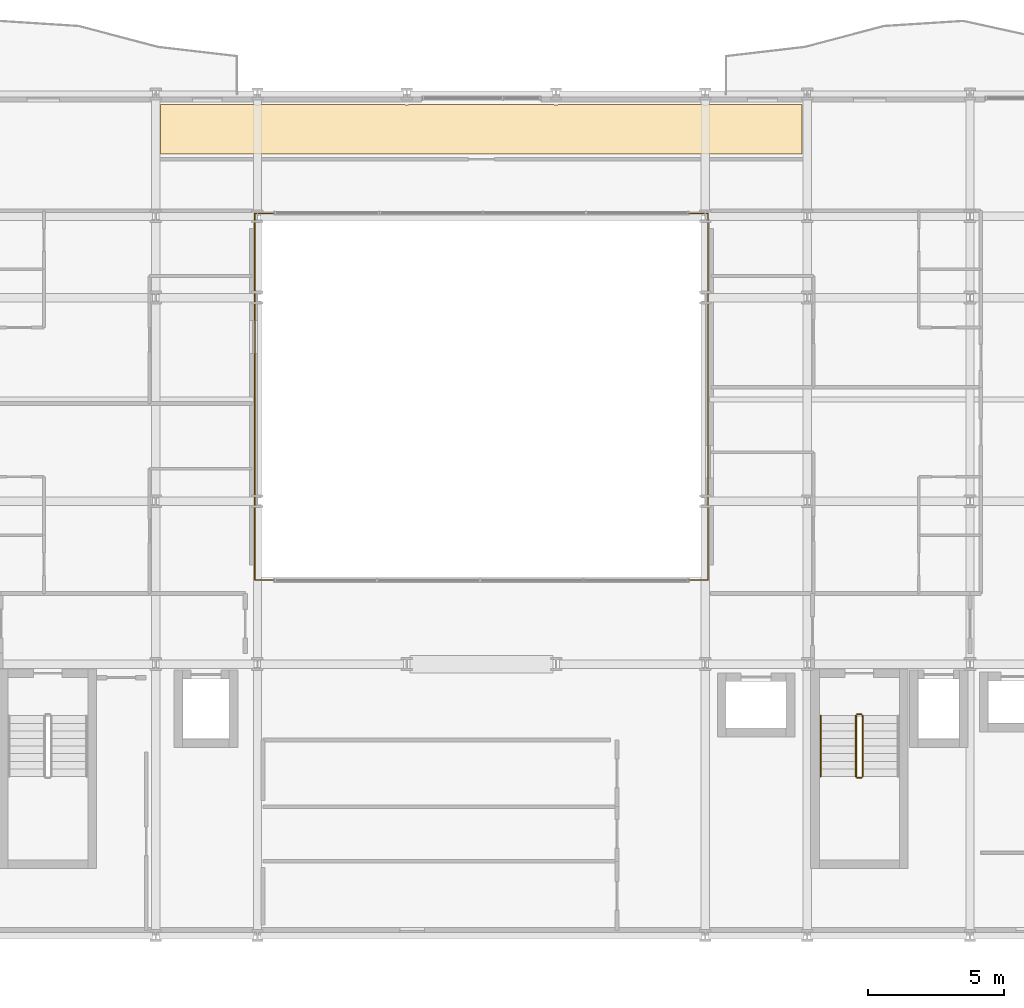
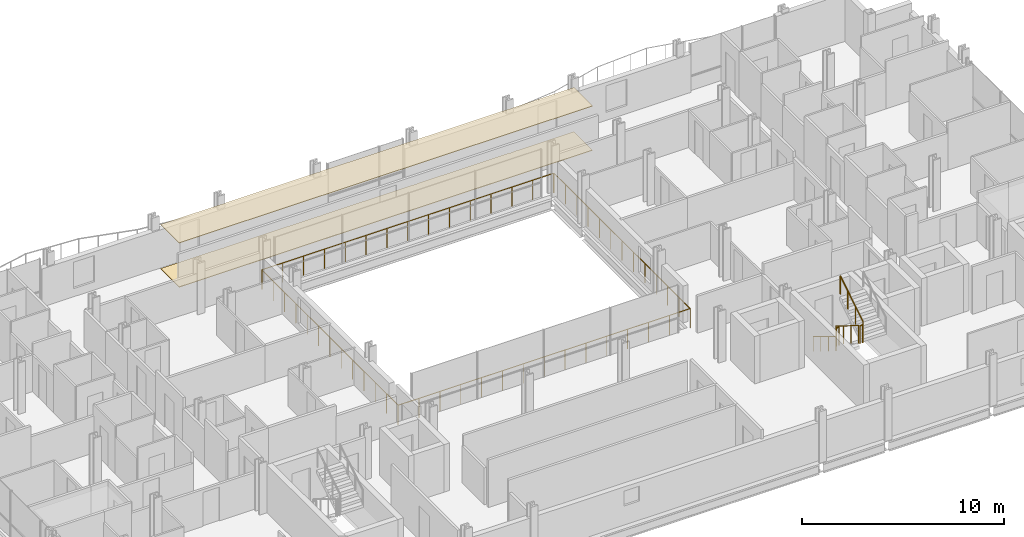
# One storey, part 39 of 40: 7 railings, 2 coverings.
"""IFC4 building model written with IfcOpenShell, lengths in metres."""

import ifcopenshell
import ifcopenshell.guid

model = None  # the IFC model being written
_history = None  # IfcOwnerHistory: only IFC2X3 demands one
_inside = {}  # id of a spatial element -> (the spatial element, [elements in it])
_under = {}  # id of a project, library or spatial element -> (it, [spatial elements below it])
_declared = {}  # id of a project -> (the project, [libraries it declares])
_typed = {}  # id of a type object -> (the type object, [elements of that type])
_made_of = {}  # id of a material, layer set ... -> (it, [elements and type objects made of it])


def new_model(schema):
    """Start an empty IFC model of exactly this schema.

    Asked for "IFC4X3", IfcOpenShell would pick the latest addendum, in which some entities
    have other attributes; the version numbers below select the first issue.
    IFC2X3 requires an IfcOwnerHistory on every rooted entity: one is made here for all.
    """
    global model, _history
    if schema == "IFC4X3":
        model = ifcopenshell.file(schema_version=(4, 3, 0, 0))
    else:
        model = ifcopenshell.file(schema=schema)
    _inside.clear()
    _under.clear()
    _declared.clear()
    _typed.clear()
    _made_of.clear()
    _history = None
    if model.schema == "IFC2X3":
        org = make("IfcOrganization", Name="unknown")
        user = make(
            "IfcPersonAndOrganization",
            ThePerson=make("IfcPerson", FamilyName="unknown"),
            TheOrganization=org,
        )
        app = make(
            "IfcApplication",
            ApplicationDeveloper=org,
            Version="unknown",
            ApplicationFullName="unknown",
            ApplicationIdentifier="unknown",
        )
        _history = make(
            "IfcOwnerHistory",
            OwningUser=user,
            OwningApplication=app,
            ChangeAction="ADDED",
            CreationDate=0,
        )
    return model


def make(cls, **values):
    """One entity of the class cls with the attributes given. An attribute that is None is left unset."""
    return model.create_entity(
        cls, **{name: value for name, value in values.items() if value is not None}
    )


def rooted(cls, **values):
    """An entity with a GlobalId (a new one), such as an element, a storey or a relation."""
    return make(cls, GlobalId=ifcopenshell.guid.new(), OwnerHistory=_history, **values)


def si_unit(unit_type, name, prefix=None):
    """IfcSIUnit, for example si_unit("LENGTHUNIT", "METRE", prefix="MILLI")."""
    return make("IfcSIUnit", UnitType=unit_type, Prefix=prefix, Name=name)


def assignment(units):
    """IfcUnitAssignment: the units of a project."""
    return None if units is None else make("IfcUnitAssignment", Units=units)


def point(xyz):
    """IfcCartesianPoint."""
    return None if xyz is None else make("IfcCartesianPoint", Coordinates=xyz)


def direction(xyz):
    """IfcDirection."""
    return None if xyz is None else make("IfcDirection", DirectionRatios=xyz)


def frame(location, z_axis=None, x_axis=None):
    """IfcAxis2Placement3D, a coordinate frame: its origin and axes. An axis left out is left unset."""
    return make(
        "IfcAxis2Placement3D",
        Location=point(location),
        Axis=direction(z_axis),
        RefDirection=direction(x_axis),
    )


def frame_2d(location, x_axis=None):
    """IfcAxis2Placement2D, a coordinate frame in the plane: its origin and x axis."""
    return make(
        "IfcAxis2Placement2D", Location=point(location), RefDirection=direction(x_axis)
    )


def origin():
    """The frame at (0, 0, 0) with its axes left unset."""
    return frame((0.0, 0.0, 0.0))


def origin_2d():
    """The frame at (0, 0) in the plane with its x axis left unset."""
    return frame_2d((0.0, 0.0))


def place(relative_to, where):
    """IfcLocalPlacement: puts the frame where relative to a parent placement (None: the world)."""
    return make(
        "IfcLocalPlacement", PlacementRelTo=relative_to, RelativePlacement=where
    )


def context(
    kind, dimensions, precision=None, world=None, true_north=None, identifier=None
):
    """IfcGeometricRepresentationContext, for example the 3D "Model" context."""
    return make(
        "IfcGeometricRepresentationContext",
        ContextIdentifier=identifier,
        ContextType=kind,
        CoordinateSpaceDimension=dimensions,
        Precision=precision,
        WorldCoordinateSystem=world,
        TrueNorth=true_north,
    )


def subcontext(parent, identifier, kind, view, scale=None):
    """IfcGeometricRepresentationSubContext, for example "Body" below "Model"."""
    return make(
        "IfcGeometricRepresentationSubContext",
        ContextIdentifier=identifier,
        ContextType=kind,
        ParentContext=parent,
        TargetScale=scale,
        TargetView=view,
    )


def project(units=None, contexts=None):
    """IfcProject with its units and contexts."""
    return rooted(
        "IfcProject",
        Name="project",
        RepresentationContexts=contexts,
        UnitsInContext=assignment(units),
    )


def spatial(cls, under=None, at=None, **own):
    """A site, building, storey or space (cls), placed at a placement, below another one or the project."""
    s = rooted(cls, ObjectPlacement=at, **own)
    if under is not None:
        _under.setdefault(under.id(), (under, []))[1].append(s)
    return s


def polyline(points):
    """IfcPolyline through the points."""
    return make("IfcPolyline", Points=[point(p) for p in points])


def profile(cls, at=None, kind="AREA", **sizes):
    """A parametric profile (cls). Its sizes go by their IFC names, for example OverallWidth=200.0."""
    return make(cls, ProfileType=kind, Position=at, **sizes)


def circle(**sizes):
    """IfcCircleProfileDef."""
    return profile("IfcCircleProfileDef", **sizes)


def outline(outer, holes=None, kind="AREA"):
    """IfcArbitraryClosedProfileDef: a profile drawn as a closed curve; with holes, ...WithVoids."""
    if holes is None:
        return make("IfcArbitraryClosedProfileDef", ProfileType=kind, OuterCurve=outer)
    return make(
        "IfcArbitraryProfileDefWithVoids",
        ProfileType=kind,
        OuterCurve=outer,
        InnerCurves=holes,
    )


def extrude(swept, where, along, depth):
    """IfcExtrudedAreaSolid: the profile swept, set in the frame where, extruded along a direction by depth."""
    return make(
        "IfcExtrudedAreaSolid",
        SweptArea=swept,
        Position=where,
        ExtrudedDirection=direction(along),
        Depth=depth,
    )


def shape(context_of_items, identifier, shape_type, items):
    """IfcShapeRepresentation: the items that make up one representation, for example the "Body"."""
    return make(
        "IfcShapeRepresentation",
        ContextOfItems=context_of_items,
        RepresentationIdentifier=identifier,
        RepresentationType=shape_type,
        Items=items,
    )


def material(Name=None, Category=None):
    """IfcMaterial."""
    return make("IfcMaterial", Name=Name, Category=Category)


def layer(
    of_material, thickness, ventilated=None, Name=None, Category=None, Priority=None
):
    """IfcMaterialLayer: one layer of a wall or slab, of a material (None: an air gap)."""
    return make(
        "IfcMaterialLayer",
        Material=of_material,
        LayerThickness=thickness,
        IsVentilated=ventilated,
        Name=Name,
        Category=Category,
        Priority=Priority,
    )


def layer_set(layers, Name=None):
    """IfcMaterialLayerSet."""
    return make("IfcMaterialLayerSet", MaterialLayers=layers, LayerSetName=Name)


def made_of(thing, what):
    """Note that an element or type object is made of a material, layer set ...; save() writes the relation."""
    if what is not None:
        _made_of.setdefault(what.id(), (what, []))[1].append(thing)
    return thing


def type_object(cls, material=None, **own):
    """A type object (cls), such as IfcWallType, which elements share."""
    return made_of(rooted(cls, **own), material)


def element(
    cls,
    number,
    at=None,
    inside=None,
    cuts=None,
    type_object=None,
    material=None,
    context=None,
    identifier="Body",
    shape_type=None,
    held_by="IfcProductDefinitionShape",
    body=None,
    shapes=None,
    **own,
):
    """One element of the class cls, such as IfcWall. Its Tag is "e" and its number.

    at: its placement. inside: the storey or other place that contains it. cuts: it is an
    opening in that element (IfcRelVoidsElement). A single representation is given by context,
    identifier, shape_type and body (its items); several are given by shapes. held_by: the class
    of the entity that holds the representations. save() writes the other relations.
    """
    e = rooted(cls, Tag="e%d" % number, ObjectPlacement=at, **own)
    if body is not None:
        shapes = [shape(context, identifier, shape_type, body)]
    if shapes is not None:
        e.Representation = make(held_by, Representations=shapes)
    if inside is not None:
        _inside.setdefault(inside.id(), (inside, []))[1].append(e)
    if cuts is not None:
        rooted(
            "IfcRelVoidsElement", RelatingBuildingElement=cuts, RelatedOpeningElement=e
        )
    if type_object is not None:
        _typed.setdefault(type_object.id(), (type_object, []))[1].append(e)
    return made_of(e, material)


def aggregate(whole, parts):
    """IfcRelAggregates: a whole, such as a stair, and the parts it consists of."""
    return rooted("IfcRelAggregates", RelatingObject=whole, RelatedObjects=parts)


def save(model, path):
    """Write the relations noted so far, then the file.

    IfcRelAggregates (storeys below a building ...), IfcRelContainedInSpatialStructure (elements
    in a storey), IfcRelDefinesByType, IfcRelAssociatesMaterial and IfcRelDeclares: one each for
    every whole, place, type object, material and project.
    """
    for whole, parts in _under.values():
        aggregate(whole, parts)
    for where, things in _inside.values():
        rooted(
            "IfcRelContainedInSpatialStructure",
            RelatedElements=things,
            RelatingStructure=where,
        )
    for kind, things in _typed.values():
        rooted("IfcRelDefinesByType", RelatedObjects=things, RelatingType=kind)
    for what, things in _made_of.values():
        rooted("IfcRelAssociatesMaterial", RelatedObjects=things, RelatingMaterial=what)
    for by, libraries in _declared.values():
        rooted("IfcRelDeclares", RelatingContext=by, RelatedDefinitions=libraries)
    model.write(path)


model = new_model("IFC4")

# Units and contexts
model_context = context("Model", 3, precision=1e-05, world=origin(), true_north=direction((0.0, 1.0)))
body_context = subcontext(model_context, "Body", "Model", "MODEL_VIEW")
ifc_project = project(units=[si_unit("LENGTHUNIT", "METRE"), si_unit("AREAUNIT", "SQUARE_METRE"), si_unit("VOLUMEUNIT", "CUBIC_METRE"), si_unit("PLANEANGLEUNIT", "RADIAN"), si_unit("MASSUNIT", "GRAM", prefix="KILO")], contexts=[model_context])

# Site, building, storey
site_placement = place(None, origin())
site = spatial("IfcSite", under=ifc_project, at=site_placement, CompositionType="ELEMENT")
building_placement = place(site_placement, origin())
building = spatial("IfcBuilding", under=site, at=building_placement, Name="Brevholm Reach", CompositionType="ELEMENT")
storey_placement = place(building_placement, frame((0.0, 0.0, 37.300048828125)))
storey = spatial("IfcBuildingStorey", under=building, at=storey_placement, Name="L09", CompositionType="ELEMENT", Elevation=37.300048828125)

# Coverings
ifc_material_1 = material(Name="Moisture-Resistant Skimmed Gypsum Plasterboard Ceiling", Category="gypsum")
ifc_layer_1 = layer(ifc_material_1, 0.030029296875)
ifc_layer_set_1 = layer_set([ifc_layer_1], Name="Moisture-Resistant Skimmed Gypsum Plasterboard Ceiling")
covering_type_1 = type_object("IfcCoveringType", Name="COV-CLG-GYP", PredefinedType="CEILING", material=ifc_layer_set_1)
covering_1_placement = place(storey_placement, frame((0.0, 0.0, 2.669921875)))
element("IfcCovering", 1, at=covering_1_placement, inside=storey, type_object=covering_type_1, Name="L09 Suspended Ceiling L09-76", PredefinedType="CEILING", context=body_context, shape_type="SweptSolid", body=[
    extrude(outline(polyline([(18.179931640625, 30.6201171875), (21.626220703125, 30.6201171875), (21.6337890625, 30.6171875), (21.672119140625, 30.607666015625), (21.710693359375, 30.601806640625), (21.75, 30.60009765625), (21.789306640625, 30.601806640625), (21.827880859375, 30.607666015625), (21.8662109375, 30.6171875), (21.873779296875, 30.6201171875), (27.126220703125, 30.6201171875), (27.1337890625, 30.6171875), (27.172119140625, 30.607666015625), (27.210693359375, 30.601806640625), (27.25, 30.60009765625), (27.289306640625, 30.601806640625), (27.327880859375, 30.607666015625), (27.3662109375, 30.6171875), (27.373779296875, 30.6201171875), (32.626220703125, 30.6201171875), (32.6337890625, 30.6171875), (32.672119140625, 30.607666015625), (32.710693359375, 30.601806640625), (32.75, 30.60009765625), (32.789306640625, 30.601806640625), (32.827880859375, 30.607666015625), (32.8662109375, 30.6171875), (32.873779296875, 30.6201171875), (38.126220703125, 30.6201171875), (38.1337890625, 30.6171875), (38.172119140625, 30.607666015625), (38.210693359375, 30.601806640625), (38.25, 30.60009765625), (38.289306640625, 30.601806640625), (38.327880859375, 30.607666015625), (38.3662109375, 30.6171875), (38.373779296875, 30.6201171875), (41.820068359375, 30.6201171875), (41.820068359375, 28.783935546875), (18.179931640625, 28.783935546875), (18.179931640625, 30.6201171875)])), origin(), (0.0, 0.0, 1.0), 0.030029296875),
])
ifc_material_2 = material(Name="Honed Portland-Aggregate Resin Terrazzo Flooring", Category="concrete")
ifc_layer_2 = layer(ifc_material_2, 0.031982421875)
ifc_layer_set_2 = layer_set([ifc_layer_2], Name="Honed Portland-Aggregate Resin Terrazzo Flooring")
covering_type_2 = type_object("IfcCoveringType", Name="COV-FLR-TRZ", PredefinedType="FLOORING", material=ifc_layer_set_2)
covering_2_placement = place(storey_placement, origin())
element("IfcCovering", 2, at=covering_2_placement, inside=storey, type_object=covering_type_2, Name="L09 Floor Finish L09-76", PredefinedType="FLOORING", context=body_context, shape_type="SweptSolid", body=[
    extrude(outline(polyline([(18.179931640625, 30.6201171875), (21.626220703125, 30.6201171875), (21.6337890625, 30.6171875), (21.672119140625, 30.607666015625), (21.710693359375, 30.601806640625), (21.75, 30.60009765625), (21.789306640625, 30.601806640625), (21.827880859375, 30.607666015625), (21.8662109375, 30.6171875), (21.873779296875, 30.6201171875), (27.126220703125, 30.6201171875), (27.1337890625, 30.6171875), (27.172119140625, 30.607666015625), (27.210693359375, 30.601806640625), (27.25, 30.60009765625), (27.289306640625, 30.601806640625), (27.327880859375, 30.607666015625), (27.3662109375, 30.6171875), (27.373779296875, 30.6201171875), (32.626220703125, 30.6201171875), (32.6337890625, 30.6171875), (32.672119140625, 30.607666015625), (32.710693359375, 30.601806640625), (32.75, 30.60009765625), (32.789306640625, 30.601806640625), (32.827880859375, 30.607666015625), (32.8662109375, 30.6171875), (32.873779296875, 30.6201171875), (38.126220703125, 30.6201171875), (38.1337890625, 30.6171875), (38.172119140625, 30.607666015625), (38.210693359375, 30.601806640625), (38.25, 30.60009765625), (38.289306640625, 30.601806640625), (38.327880859375, 30.607666015625), (38.3662109375, 30.6171875), (38.373779296875, 30.6201171875), (41.820068359375, 30.6201171875), (41.820068359375, 28.783935546875), (18.179931640625, 28.783935546875), (18.179931640625, 30.6201171875)])), origin(), (0.0, 0.0, 1.0), 0.031982421875),
])

# Railings
ifc_material_3 = material(Name="Brushed Stainless Steel EN 1.4401 Continuous Handrail", Category="steel")
railing_type_1 = type_object("IfcRailingType", Name="RAL-HND-950", PredefinedType="HANDRAIL", material=ifc_material_3)
railing_1_placement = place(storey_placement, frame((42.5, 8.10009765625, 0.172119140625)))
element("IfcRailing", 3, at=railing_1_placement, inside=storey, type_object=railing_type_1, Name="L09 ST-2 stair handrail 1", PredefinedType="HANDRAIL", context=body_context, shape_type="SweptSolid", body=[
    extrude(circle(Radius=0.02392578125, at=origin_2d()), frame((0.0, 0.0, 0.8857421875), z_axis=(0.0, -0.851747552033, 0.523952390591), x_axis=(1.0, 0.0, 0.0)), (0.0, 0.0, 1.0), 2.6298828125),
    extrude(circle(Radius=0.02099609375, at=origin_2d()), origin(), (0.0, 0.0, 1.0), 0.86181640625),
    extrude(circle(Radius=0.02099609375, at=origin_2d()), frame((0.0, -0.74658203125, 0.459228515625)), (0.0, 0.0, 1.0), 0.86181640625),
    extrude(circle(Radius=0.02099609375, at=origin_2d()), frame((0.0, -1.493408203125, 0.918701171875)), (0.0, 0.0, 1.0), 0.86181640625),
    extrude(circle(Radius=0.02099609375, at=origin_2d()), frame((0.0, -2.239990234375, 1.3779296875)), (0.0, 0.0, 1.0), 0.86181640625),
])
ifc_material_4 = material(Name="Painted Tubular Galvanised Steel S275JR Stair Guard", Category="steel")
railing_type_2 = type_object("IfcRailingType", Name="RAL-STG-1120", PredefinedType="BALUSTRADE", material=ifc_material_4)
railing_2_placement = place(storey_placement, frame((43.800048828125, 8.10009765625, 0.172119140625)))
element("IfcRailing", 4, at=railing_2_placement, inside=storey, type_object=railing_type_2, Name="L09 ST-2 stair guard 1", PredefinedType="BALUSTRADE", context=body_context, shape_type="SweptSolid", body=[
    extrude(circle(Radius=0.02392578125, at=origin_2d()), frame((0.0, 0.0, 1.076171875), z_axis=(0.0, -0.851747552033, 0.523952390591), x_axis=(1.0, 0.0, 0.0)), (0.0, 0.0, 1.0), 2.6298828125),
    extrude(circle(Radius=0.02099609375, at=origin_2d()), origin(), (0.0, 0.0, 1.0), 1.052001953125),
    extrude(circle(Radius=0.02099609375, at=origin_2d()), frame((0.0, -0.74658203125, 0.459228515625)), (0.0, 0.0, 1.0), 1.052001953125),
    extrude(circle(Radius=0.02099609375, at=origin_2d()), frame((0.0, -1.493408203125, 0.918701171875)), (0.0, 0.0, 1.0), 1.052001953125),
    extrude(circle(Radius=0.02099609375, at=origin_2d()), frame((0.0, -2.239990234375, 1.3779296875)), (0.0, 0.0, 1.0), 1.052001953125),
])
railing_3_placement = place(storey_placement, frame((43.85009765625, 5.81005859375, 1.550048828125)))
element("IfcRailing", 5, at=railing_3_placement, inside=storey, type_object=railing_type_2, Name="L09 ST-2 stair guard 2", PredefinedType="BALUSTRADE", context=body_context, shape_type="SweptSolid", body=[
    extrude(circle(Radius=0.02392578125, at=origin_2d()), frame((0.0, 0.0, 1.076171875), z_axis=(1.0, 0.0, 0.0), x_axis=(0.0, 1.0, 0.0)), (0.0, 0.0, 1.0), 0.14990234375),
    extrude(circle(Radius=0.02099609375, at=origin_2d()), origin(), (0.0, 0.0, 1.0), 1.052001953125),
    extrude(circle(Radius=0.02099609375, at=origin_2d()), frame((0.14990234375, 0.0, 0.0)), (0.0, 0.0, 1.0), 1.052001953125),
])
railing_4_placement = place(storey_placement, frame((44.050048828125, 5.860107421875, 1.72216796875)))
element("IfcRailing", 6, at=railing_4_placement, inside=storey, type_object=railing_type_2, Name="L09 ST-2 stair guard 3", PredefinedType="BALUSTRADE", context=body_context, shape_type="SweptSolid", body=[
    extrude(circle(Radius=0.02392578125, at=origin_2d()), frame((0.0, 0.0, 1.076171875), z_axis=(0.0, 0.85178898068, 0.523885037382), x_axis=(-1.0, 0.0, 0.0)), (0.0, 0.0, 1.0), 2.629638671875),
    extrude(circle(Radius=0.02099609375, at=origin_2d()), origin(), (0.0, 0.0, 1.0), 1.052001953125),
    extrude(circle(Radius=0.02099609375, at=origin_2d()), frame((0.0, 0.74658203125, 0.459228515625)), (0.0, 0.0, 1.0), 1.052001953125),
    extrude(circle(Radius=0.02099609375, at=origin_2d()), frame((0.0, 1.493408203125, 0.91845703125)), (0.0, 0.0, 1.0), 1.052001953125),
    extrude(circle(Radius=0.02099609375, at=origin_2d()), frame((0.0, 2.239990234375, 1.377685546875)), (0.0, 0.0, 1.0), 1.052001953125),
])
railing_5_placement = place(storey_placement, frame((43.85009765625, 8.14990234375, 0.0)))
element("IfcRailing", 7, at=railing_5_placement, inside=storey, type_object=railing_type_2, Name="L09 ST-2 stair guard 4", PredefinedType="BALUSTRADE", context=body_context, shape_type="SweptSolid", body=[
    extrude(circle(Radius=0.02392578125, at=origin_2d()), frame((0.0, 0.0, 1.076171875), z_axis=(1.0, 0.0, 0.0), x_axis=(0.0, 1.0, 0.0)), (0.0, 0.0, 1.0), 0.14990234375),
    extrude(circle(Radius=0.02099609375, at=origin_2d()), origin(), (0.0, 0.0, 1.0), 1.052001953125),
    extrude(circle(Radius=0.02099609375, at=origin_2d()), frame((0.14990234375, 0.0, 0.0)), (0.0, 0.0, 1.0), 1.052001953125),
])
ifc_material_5 = material(Name="Brushed Stainless Steel EN 1.4401 and Laminated Glass", Category="steel")
railing_type_3 = type_object("IfcRailingType", Name="RAL-TERR-1200", PredefinedType="BALUSTRADE", material=ifc_material_5)
railing_6_placement = place(storey_placement, frame((21.64990234375, 13.10009765625, 0.0)))
element("IfcRailing", 8, at=railing_6_placement, inside=storey, type_object=railing_type_3, Name="L09 Guard Balustrade RAL-L09-AT-VOID-SW", PredefinedType="BALUSTRADE", context=body_context, shape_type="SweptSolid", body=[
    extrude(circle(Radius=0.02392578125, at=origin_2d()), frame((0.0, 0.0, 1.17578125), z_axis=(1.0, 0.0, 0.0), x_axis=(0.0, 1.0, 0.0)), (0.0, 0.0, 1.0), 16.7001953125),
    extrude(circle(Radius=0.02392578125, at=origin_2d()), frame((16.7001953125, 0.0, 1.17578125), z_axis=(0.0, 1.0, 0.0), x_axis=(-1.0, 0.0, 0.0)), (0.0, 0.0, 1.0), 13.47998046875),
    extrude(circle(Radius=0.02099609375, at=origin_2d()), origin(), (0.0, 0.0, 1.0), 1.15185546875),
    extrude(circle(Radius=0.02099609375, at=origin_2d()), frame((1.19287109375, 0.0, 0.0)), (0.0, 0.0, 1.0), 1.15185546875),
    extrude(circle(Radius=0.02099609375, at=origin_2d()), frame((2.3857421875, 0.0, 0.0)), (0.0, 0.0, 1.0), 1.15185546875),
    extrude(circle(Radius=0.02099609375, at=origin_2d()), frame((3.57861328125, 0.0, 0.0)), (0.0, 0.0, 1.0), 1.15185546875),
    extrude(circle(Radius=0.02099609375, at=origin_2d()), frame((4.771484375, 0.0, 0.0)), (0.0, 0.0, 1.0), 1.15185546875),
    extrude(circle(Radius=0.02099609375, at=origin_2d()), frame((5.96435546875, 0.0, 0.0)), (0.0, 0.0, 1.0), 1.15185546875),
    extrude(circle(Radius=0.02099609375, at=origin_2d()), frame((7.1572265625, 0.0, 0.0)), (0.0, 0.0, 1.0), 1.15185546875),
    extrude(circle(Radius=0.02099609375, at=origin_2d()), frame((8.35009765625, 0.0, 0.0)), (0.0, 0.0, 1.0), 1.15185546875),
    extrude(circle(Radius=0.02099609375, at=origin_2d()), frame((9.54296875, 0.0, 0.0)), (0.0, 0.0, 1.0), 1.15185546875),
    extrude(circle(Radius=0.02099609375, at=origin_2d()), frame((10.73583984375, 0.0, 0.0)), (0.0, 0.0, 1.0), 1.15185546875),
    extrude(circle(Radius=0.02099609375, at=origin_2d()), frame((11.9287109375, 0.0, 0.0)), (0.0, 0.0, 1.0), 1.15185546875),
    extrude(circle(Radius=0.02099609375, at=origin_2d()), frame((13.12158203125, 0.0, 0.0)), (0.0, 0.0, 1.0), 1.15185546875),
    extrude(circle(Radius=0.02099609375, at=origin_2d()), frame((14.314453125, 0.0, 0.0)), (0.0, 0.0, 1.0), 1.15185546875),
    extrude(circle(Radius=0.02099609375, at=origin_2d()), frame((15.50732421875, 0.0, 0.0)), (0.0, 0.0, 1.0), 1.15185546875),
    extrude(circle(Radius=0.02099609375, at=origin_2d()), frame((16.7001953125, 0.0, 0.0)), (0.0, 0.0, 1.0), 1.15185546875),
    extrude(circle(Radius=0.02099609375, at=origin_2d()), frame((16.7001953125, 1.123291015625, 0.0)), (0.0, 0.0, 1.0), 1.15185546875),
    extrude(circle(Radius=0.02099609375, at=origin_2d()), frame((16.7001953125, 2.24658203125, 0.0)), (0.0, 0.0, 1.0), 1.15185546875),
    extrude(circle(Radius=0.02099609375, at=origin_2d()), frame((16.7001953125, 3.3701171875, 0.0)), (0.0, 0.0, 1.0), 1.15185546875),
    extrude(circle(Radius=0.02099609375, at=origin_2d()), frame((16.7001953125, 4.493408203125, 0.0)), (0.0, 0.0, 1.0), 1.15185546875),
    extrude(circle(Radius=0.02099609375, at=origin_2d()), frame((16.7001953125, 5.61669921875, 0.0)), (0.0, 0.0, 1.0), 1.15185546875),
    extrude(circle(Radius=0.02099609375, at=origin_2d()), frame((16.7001953125, 6.739990234375, 0.0)), (0.0, 0.0, 1.0), 1.15185546875),
    extrude(circle(Radius=0.02099609375, at=origin_2d()), frame((16.7001953125, 7.86328125, 0.0)), (0.0, 0.0, 1.0), 1.15185546875),
    extrude(circle(Radius=0.02099609375, at=origin_2d()), frame((16.7001953125, 8.986572265625, 0.0)), (0.0, 0.0, 1.0), 1.15185546875),
    extrude(circle(Radius=0.02099609375, at=origin_2d()), frame((16.7001953125, 10.10986328125, 0.0)), (0.0, 0.0, 1.0), 1.15185546875),
    extrude(circle(Radius=0.02099609375, at=origin_2d()), frame((16.7001953125, 11.2333984375, 0.0)), (0.0, 0.0, 1.0), 1.15185546875),
    extrude(circle(Radius=0.02099609375, at=origin_2d()), frame((16.7001953125, 12.356689453125, 0.0)), (0.0, 0.0, 1.0), 1.15185546875),
    extrude(circle(Radius=0.02099609375, at=origin_2d()), frame((16.7001953125, 13.47998046875, 0.0)), (0.0, 0.0, 1.0), 1.15185546875),
])
railing_7_placement = place(storey_placement, frame((38.330078125, 26.60009765625, 0.0)))
element("IfcRailing", 9, at=railing_7_placement, inside=storey, type_object=railing_type_3, Name="L09 Guard Balustrade RAL-L09-AT-VOID-NE", PredefinedType="BALUSTRADE", context=body_context, shape_type="SweptSolid", body=[
    extrude(circle(Radius=0.02392578125, at=origin_2d()), frame((0.0, 0.0, 1.17578125), z_axis=(-1.0, 0.0, 0.0), x_axis=(0.0, -1.0, 0.0)), (0.0, 0.0, 1.0), 16.68017578125),
    extrude(circle(Radius=0.02392578125, at=origin_2d()), frame((-16.68017578125, 0.0, 1.17578125), z_axis=(0.0, -1.0, 0.0), x_axis=(1.0, 0.0, 0.0)), (0.0, 0.0, 1.0), 13.47998046875),
    extrude(circle(Radius=0.02099609375, at=origin_2d()), origin(), (0.0, 0.0, 1.0), 1.15185546875),
    extrude(circle(Radius=0.02099609375, at=origin_2d()), frame((-1.19140625, 0.0, 0.0)), (0.0, 0.0, 1.0), 1.15185546875),
    extrude(circle(Radius=0.02099609375, at=origin_2d()), frame((-2.3828125, 0.0, 0.0)), (0.0, 0.0, 1.0), 1.15185546875),
    extrude(circle(Radius=0.02099609375, at=origin_2d()), frame((-3.57421875, 0.0, 0.0)), (0.0, 0.0, 1.0), 1.15185546875),
    extrude(circle(Radius=0.02099609375, at=origin_2d()), frame((-4.765869140625, 0.0, 0.0)), (0.0, 0.0, 1.0), 1.15185546875),
    extrude(circle(Radius=0.02099609375, at=origin_2d()), frame((-5.957275390625, 0.0, 0.0)), (0.0, 0.0, 1.0), 1.15185546875),
    extrude(circle(Radius=0.02099609375, at=origin_2d()), frame((-7.148681640625, 0.0, 0.0)), (0.0, 0.0, 1.0), 1.15185546875),
    extrude(circle(Radius=0.02099609375, at=origin_2d()), frame((-8.340087890625, 0.0, 0.0)), (0.0, 0.0, 1.0), 1.15185546875),
    extrude(circle(Radius=0.02099609375, at=origin_2d()), frame((-9.531494140625, 0.0, 0.0)), (0.0, 0.0, 1.0), 1.15185546875),
    extrude(circle(Radius=0.02099609375, at=origin_2d()), frame((-10.722900390625, 0.0, 0.0)), (0.0, 0.0, 1.0), 1.15185546875),
    extrude(circle(Radius=0.02099609375, at=origin_2d()), frame((-11.914306640625, 0.0, 0.0)), (0.0, 0.0, 1.0), 1.15185546875),
    extrude(circle(Radius=0.02099609375, at=origin_2d()), frame((-13.10595703125, 0.0, 0.0)), (0.0, 0.0, 1.0), 1.15185546875),
    extrude(circle(Radius=0.02099609375, at=origin_2d()), frame((-14.29736328125, 0.0, 0.0)), (0.0, 0.0, 1.0), 1.15185546875),
    extrude(circle(Radius=0.02099609375, at=origin_2d()), frame((-15.48876953125, 0.0, 0.0)), (0.0, 0.0, 1.0), 1.15185546875),
    extrude(circle(Radius=0.02099609375, at=origin_2d()), frame((-16.68017578125, 0.0, 0.0)), (0.0, 0.0, 1.0), 1.15185546875),
    extrude(circle(Radius=0.02099609375, at=origin_2d()), frame((-16.68017578125, -1.123291015625, 0.0)), (0.0, 0.0, 1.0), 1.15185546875),
    extrude(circle(Radius=0.02099609375, at=origin_2d()), frame((-16.68017578125, -2.24658203125, 0.0)), (0.0, 0.0, 1.0), 1.15185546875),
    extrude(circle(Radius=0.02099609375, at=origin_2d()), frame((-16.68017578125, -3.3701171875, 0.0)), (0.0, 0.0, 1.0), 1.15185546875),
    extrude(circle(Radius=0.02099609375, at=origin_2d()), frame((-16.68017578125, -4.493408203125, 0.0)), (0.0, 0.0, 1.0), 1.15185546875),
    extrude(circle(Radius=0.02099609375, at=origin_2d()), frame((-16.68017578125, -5.61669921875, 0.0)), (0.0, 0.0, 1.0), 1.15185546875),
    extrude(circle(Radius=0.02099609375, at=origin_2d()), frame((-16.68017578125, -6.739990234375, 0.0)), (0.0, 0.0, 1.0), 1.15185546875),
    extrude(circle(Radius=0.02099609375, at=origin_2d()), frame((-16.68017578125, -7.86328125, 0.0)), (0.0, 0.0, 1.0), 1.15185546875),
    extrude(circle(Radius=0.02099609375, at=origin_2d()), frame((-16.68017578125, -8.986572265625, 0.0)), (0.0, 0.0, 1.0), 1.15185546875),
    extrude(circle(Radius=0.02099609375, at=origin_2d()), frame((-16.68017578125, -10.10986328125, 0.0)), (0.0, 0.0, 1.0), 1.15185546875),
    extrude(circle(Radius=0.02099609375, at=origin_2d()), frame((-16.68017578125, -11.2333984375, 0.0)), (0.0, 0.0, 1.0), 1.15185546875),
    extrude(circle(Radius=0.02099609375, at=origin_2d()), frame((-16.68017578125, -12.356689453125, 0.0)), (0.0, 0.0, 1.0), 1.15185546875),
    extrude(circle(Radius=0.02099609375, at=origin_2d()), frame((-16.68017578125, -13.47998046875, 0.0)), (0.0, 0.0, 1.0), 1.15185546875),
])

save(model, "model.ifc")
